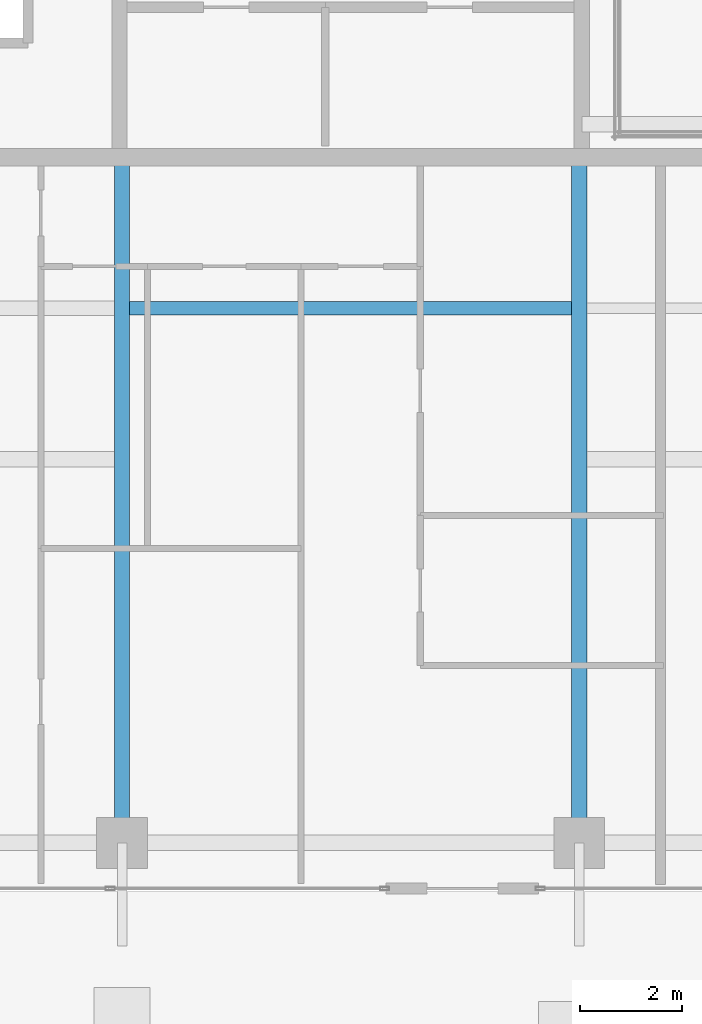
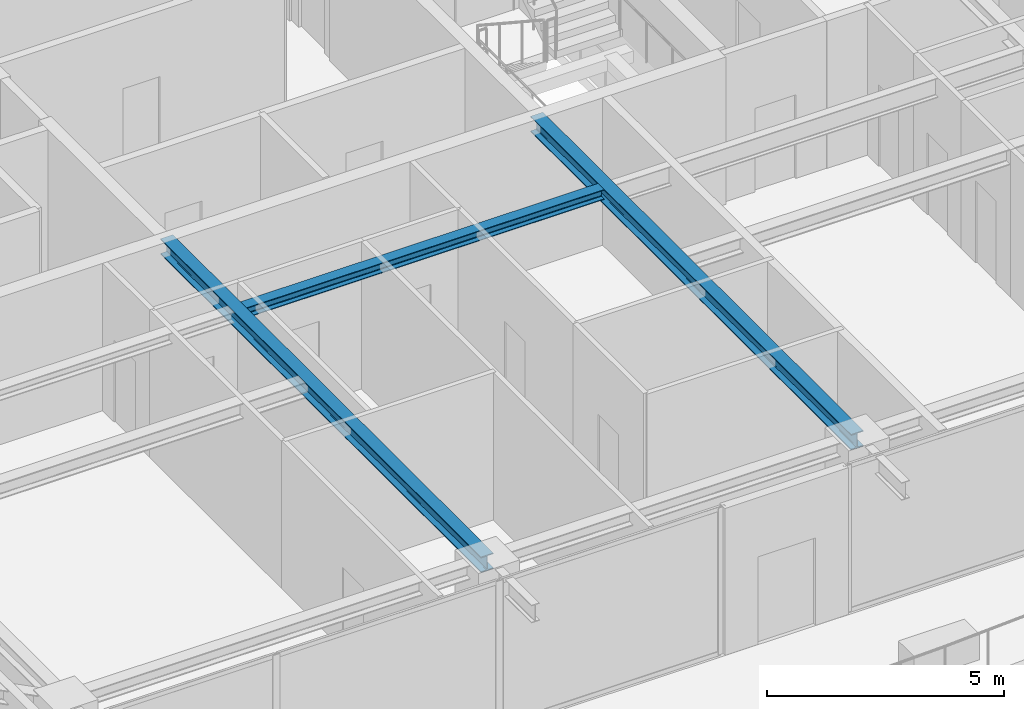
# One storey, part 7 of 42: 3 beams.
"""IFC4 building model written with IfcOpenShell, lengths in metres."""

from ifc_helpers import new_model, si_unit, direction, frame, origin, origin_2d, place, context, subcontext, project, spatial, i_section, extrude, source, transform, mapped, material, material_profile, profile_set, type_object, element, save


model = new_model("IFC4")

# Units and contexts
model_context = context("Model", 3, precision=1e-05, world=origin(), true_north=direction((0.0, 1.0)))
body_context = subcontext(model_context, "Body", "Model", "MODEL_VIEW")
ifc_project = project(units=[si_unit("LENGTHUNIT", "METRE"), si_unit("AREAUNIT", "SQUARE_METRE"), si_unit("VOLUMEUNIT", "CUBIC_METRE"), si_unit("PLANEANGLEUNIT", "RADIAN"), si_unit("MASSUNIT", "GRAM", prefix="KILO")], contexts=[model_context])

# Site, building, storey
site_placement = place(None, origin())
site = spatial("IfcSite", under=ifc_project, at=site_placement, CompositionType="ELEMENT")
building_placement = place(site_placement, origin())
building = spatial("IfcBuilding", under=site, at=building_placement, Name="Serunith Strait Residences", CompositionType="ELEMENT")
storey_placement = place(building_placement, frame((0.0, 0.0, 309.64990234375)))
storey = spatial("IfcBuildingStorey", under=building, at=storey_placement, Name="L77", CompositionType="ELEMENT", Elevation=309.64990234375)

# Beams
ifc_material = material(Name="Steel S355J2", Category="steel")
ifc_material_profile_1 = material_profile(ifc_material, i_section(OverallWidth=0.260009765625, OverallDepth=0.260009765625, WebThickness=0.010009765625, FlangeThickness=0.017578125, FilletRadius=0.02392578125, at=origin_2d()), Name="HEB 260")
ifc_profile_set_1 = profile_set([ifc_material_profile_1], Name="Steel S355J2")
beam_type_1 = type_object("IfcBeamType", Name="BM-HEB260", PredefinedType="JOIST", material=ifc_profile_set_1)
shared_shape_1 = source(origin(), body_context, "Body", "SweptSolid", [
    extrude(i_section(OverallWidth=0.260009765625, OverallDepth=0.260009765625, WebThickness=0.010009765625, FlangeThickness=0.017578125, FilletRadius=0.02392578125, at=origin_2d()), origin(), (0.0, 0.0, 1.0), 8.699951171875),
])
beam_placement = place(storey_placement, frame((28.050048828125, 13.824951171875, 3.656982421875), z_axis=(1.0, 0.0, 0.0), x_axis=(0.0, 1.0, 0.0)))
element("IfcBeam", 1, at=beam_placement, inside=storey, type_object=beam_type_1, Name="L77 Composite Floor Joist 02", PredefinedType="JOIST", context=body_context, shape_type="MappedRepresentation", body=[
    mapped(shared_shape_1, transform((0.0, 0.0, 0.0), scale=1.0)),
])
ifc_material_profile_2 = material_profile(ifc_material, i_section(OverallWidth=0.300048828125, OverallDepth=0.39990234375, WebThickness=0.013427734375, FlangeThickness=0.02392578125, FilletRadius=0.027099609375, at=origin_2d()), Name="HEB 400")
ifc_profile_set_2 = profile_set([ifc_material_profile_2], Name="Steel S355J2")
beam_type_2 = type_object("IfcBeamType", Name="BM-HEB400", PredefinedType="BEAM", material=ifc_profile_set_2)
shared_shape_2 = source(origin(), body_context, "Body", "SweptSolid", [
    extrude(i_section(OverallWidth=0.300048828125, OverallDepth=0.39990234375, WebThickness=0.013427734375, FlangeThickness=0.02392578125, FilletRadius=0.027099609375, at=origin_2d()), origin(), (0.0, 0.0, 1.0), 13.5),
])
for number, where, z_axis, x_axis, name in (
    (2, (27.89990234375, 16.800048828125, 3.587158203125), (0.0, -1.0, 0.0), (1.0, 0.0, 0.0), "L77 Primary Floor Girder TC-S2"),
    (3, (36.89990234375, 16.800048828125, 3.587158203125), (0.0, -1.0, 0.0), (1.0, 0.0, 0.0), "L77 Primary Floor Girder TC-S3"),
):
    element("IfcBeam", number, at=place(storey_placement, frame(where, z_axis=z_axis, x_axis=x_axis)), inside=storey, type_object=beam_type_2, Name=name, PredefinedType="BEAM", context=body_context, shape_type="MappedRepresentation", body=[
        mapped(shared_shape_2, transform((0.0, 0.0, 0.0), scale=1.0)),
    ])

save(model, "model.ifc")
